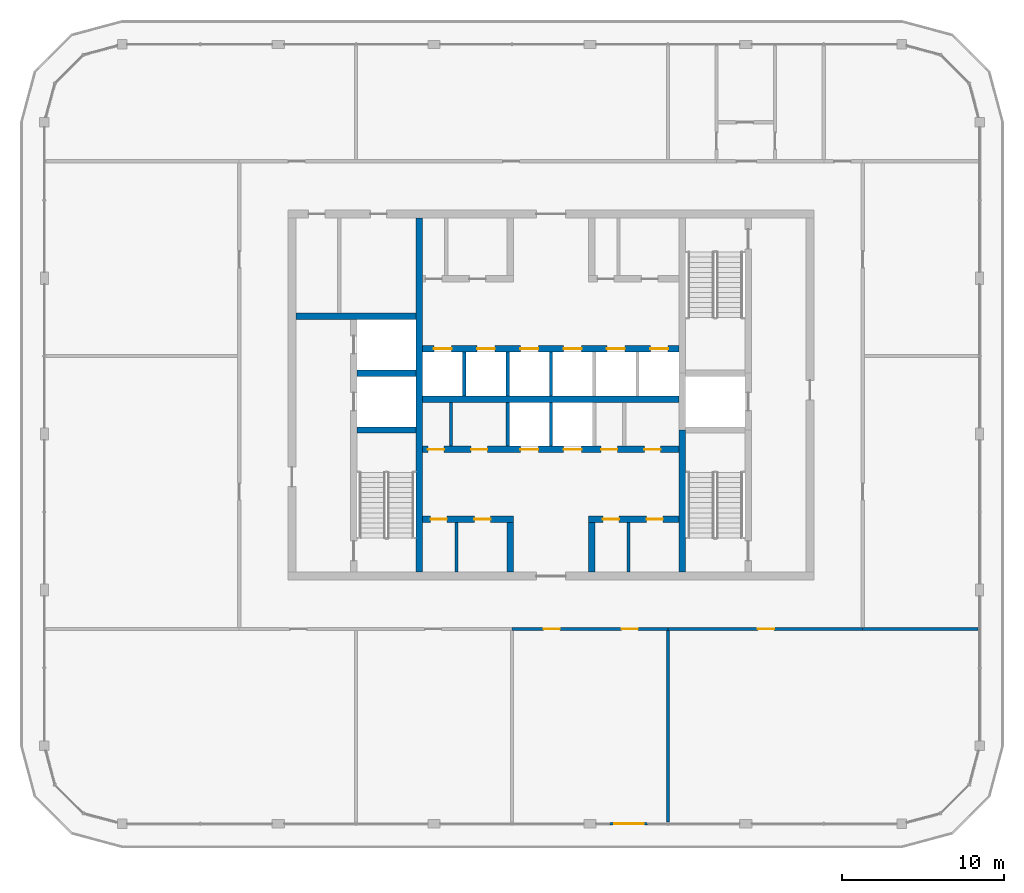
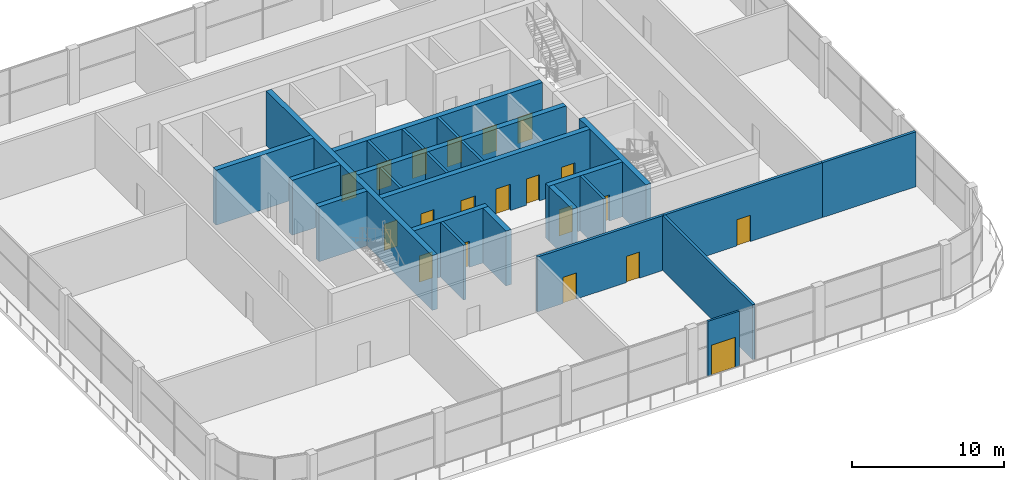
# One storey, part 10 of 15: 25 walls, 20 doors, 20 openings.
"""IFC4 building model written with IfcOpenShell, lengths in metres."""

from ifc_helpers import new_model, si_unit, direction, frame, frame_2d, origin, place, context, subcontext, project, spatial, rectangle, extrude, material, layer, layer_set, type_object, element, fill, save


model = new_model("IFC4")

# Units and contexts
model_context = context("Model", 3, precision=1e-05, world=origin(), true_north=direction((0.0, 1.0)))
body_context = subcontext(model_context, "Body", "Model", "MODEL_VIEW")
ifc_project = project(units=[si_unit("LENGTHUNIT", "METRE"), si_unit("AREAUNIT", "SQUARE_METRE"), si_unit("VOLUMEUNIT", "CUBIC_METRE"), si_unit("PLANEANGLEUNIT", "RADIAN"), si_unit("MASSUNIT", "GRAM", prefix="KILO")], contexts=[model_context])

# Site, building, storey
site_placement = place(None, origin())
site = spatial("IfcSite", under=ifc_project, at=site_placement, CompositionType="ELEMENT")
building_placement = place(site_placement, origin())
building = spatial("IfcBuilding", under=site, at=building_placement, Name="Madar Terraces", CompositionType="ELEMENT")
storey_placement = place(building_placement, frame((0.0, 0.0, 291.5)))
storey = spatial("IfcBuildingStorey", under=building, at=storey_placement, Name="L76", CompositionType="ELEMENT", Elevation=291.5)

# Walls
ifc_material_1 = material(Name="Concrete C50/60", Category="concrete")
ifc_layer_1 = layer(ifc_material_1, 0.39990234375)
ifc_layer_set_1 = layer_set([ifc_layer_1], Name="Concrete C50/60 (CIW6 RC wall 400)")
wall_type_1 = type_object("IfcWallType", Name="CIW6 RC wall 400", PredefinedType="SHEAR", material=ifc_layer_set_1)
wall_1_placement = place(storey_placement, frame((23.10009765625, 15.5, 0.0), z_axis=(0.0, 0.0, 1.0), x_axis=(0.0, 1.0, 0.0)))
element("IfcWall", 1, at=wall_1_placement, inside=storey, type_object=wall_type_1, Name="CORE SHAFT WALL", PredefinedType="SHEAR", context=body_context, shape_type="SweptSolid", body=[
    extrude(rectangle(XDim=21.800048828125, YDim=0.39990234375, at=frame_2d((10.89990234375, 0.0))), origin(), (0.0, 0.0, 1.0), 4.39990234375),
])
wall_2_placement = place(storey_placement, frame((39.300048828125, 15.5, 0.0), z_axis=(0.0, 0.0, 1.0), x_axis=(0.0, 1.0, 0.0)))
element("IfcWall", 2, at=wall_2_placement, inside=storey, type_object=wall_type_1, Name="CORE SHAFT WALL", PredefinedType="SHEAR", context=body_context, shape_type="SweptSolid", body=[
    extrude(rectangle(XDim=8.75, YDim=0.39990234375, at=frame_2d((4.375, 0.0))), origin(), (0.0, 0.0, 1.0), 4.39990234375),
])
for number, where, z_axis, x_axis, name in (
    (3, (19.25, 24.25, 0.0), (0.0, 0.0, 1.0), (1.0, 0.0, 0.0), "CORE SHAFT WALL"),
    (4, (19.25, 27.75, 0.0), (0.0, 0.0, 1.0), (1.0, 0.0, 0.0), "CORE SHAFT WALL"),
):
    element("IfcWall", number, at=place(storey_placement, frame(where, z_axis=z_axis, x_axis=x_axis)), inside=storey, type_object=wall_type_1, Name=name, PredefinedType="SHEAR", context=body_context, shape_type="SweptSolid", body=[
        extrude(rectangle(XDim=3.64990234375, YDim=0.39990234375, at=frame_2d((1.824951171875, 0.0))), origin(), (0.0, 0.0, 1.0), 4.39990234375),
    ])
wall_3_placement = place(storey_placement, frame((15.5, 31.25, 0.0), z_axis=(0.0, 0.0, 1.0), x_axis=(1.0, 0.0, 0.0)))
element("IfcWall", 5, at=wall_3_placement, inside=storey, type_object=wall_type_1, Name="CORE SHAFT WALL", PredefinedType="SHEAR", context=body_context, shape_type="SweptSolid", body=[
    extrude(rectangle(XDim=7.39990234375, YDim=0.39990234375, at=frame_2d((3.699951171875, 0.0))), origin(), (0.0, 0.0, 1.0), 4.39990234375),
])

# Wall, openings, doors
wall_4_placement = place(storey_placement, frame((23.300048828125, 18.75, 0.0), z_axis=(0.0, 0.0, 1.0), x_axis=(1.0, 0.0, 0.0)))
wall_4 = element("IfcWall", 6, at=wall_4_placement, inside=storey, type_object=wall_type_1, Name="CORE SHAFT WALL", PredefinedType="SHEAR", context=body_context, shape_type="SweptSolid", body=[
    extrude(rectangle(XDim=5.599853515625, YDim=0.39990234375, at=frame_2d((2.7998046875, 0.0))), origin(), (0.0, 0.0, 1.0), 4.39990234375),
])
opening_1_placement = place(wall_4_placement, frame((0.489990234375, 0.0, 0.0)))
opening_1 = element("IfcOpeningElement", 7, at=opening_1_placement, cuts=wall_4, Name="Opening KD2", PredefinedType="OPENING", context=body_context, shape_type="SweptSolid", body=[
    extrude(rectangle(XDim=1.0, YDim=2.10009765625, at=frame_2d((0.5, 1.050048828125))), frame((0.0, 0.2099609375, 0.0), z_axis=(0.0, -1.0, 0.0), x_axis=(1.0, 0.0, 0.0)), (0.0, 0.0, 1.0), 0.419921875),
])
opening_2_placement = place(wall_4_placement, frame((3.18994140625, 0.0, 0.0)))
opening_2 = element("IfcOpeningElement", 8, at=opening_2_placement, cuts=wall_4, Name="Opening KD2", PredefinedType="OPENING", context=body_context, shape_type="SweptSolid", body=[
    extrude(rectangle(XDim=1.0, YDim=2.10009765625, at=frame_2d((0.5, 1.050048828125))), frame((0.0, 0.2099609375, 0.0), z_axis=(0.0, -1.0, 0.0), x_axis=(1.0, 0.0, 0.0)), (0.0, 0.0, 1.0), 0.419921875),
])
ifc_material_2 = material(Name="Steel door leaf", Category="steel")
door_type_1 = type_object("IfcDoorType", Name="Service room door 1000 x 2100", OperationType="NOTDEFINED", PredefinedType="DOOR", material=ifc_material_2)
door_1_placement = place(opening_1_placement, origin())
door_1 = element("IfcDoor", 9, at=door_1_placement, inside=storey, type_object=door_type_1, Name="SERVICE ROOM DOOR", OperationType="SINGLE_SWING_LEFT", OverallHeight=2.10009765625, OverallWidth=1.0, PredefinedType="DOOR", context=body_context, shape_type="SweptSolid", body=[
    extrude(rectangle(XDim=1.0, YDim=2.10009765625, at=frame_2d((0.5, 1.050048828125))), frame((0.0, 0.02490234375, 0.0), z_axis=(0.0, -1.0, 0.0), x_axis=(1.0, 0.0, 0.0)), (0.0, 0.0, 1.0), 0.050048828125),
])
fill(opening_1, door_1)
door_2_placement = place(opening_2_placement, origin())
door_2 = element("IfcDoor", 10, at=door_2_placement, inside=storey, type_object=door_type_1, Name="SERVICE ROOM DOOR", OperationType="SINGLE_SWING_RIGHT", OverallHeight=2.10009765625, OverallWidth=1.0, PredefinedType="DOOR", context=body_context, shape_type="SweptSolid", body=[
    extrude(rectangle(XDim=1.0, YDim=2.10009765625, at=frame_2d((0.5, 1.050048828125))), frame((0.0, 0.02490234375, 0.0), z_axis=(0.0, -1.0, 0.0), x_axis=(1.0, 0.0, 0.0)), (0.0, 0.0, 1.0), 0.050048828125),
])
fill(opening_2, door_2)

wall_5_placement = place(storey_placement, frame((33.5, 18.75, 0.0), z_axis=(0.0, 0.0, 1.0), x_axis=(1.0, 0.0, 0.0)))
wall_5 = element("IfcWall", 11, at=wall_5_placement, inside=storey, type_object=wall_type_1, Name="CORE SHAFT WALL", PredefinedType="SHEAR", context=body_context, shape_type="SweptSolid", body=[
    extrude(rectangle(XDim=5.60009765625, YDim=0.39990234375, at=frame_2d((2.800048828125, 0.0))), origin(), (0.0, 0.0, 1.0), 4.39990234375),
])
opening_3_placement = place(wall_5_placement, frame((0.889892578125, 0.0, 0.0)))
opening_3 = element("IfcOpeningElement", 12, at=opening_3_placement, cuts=wall_5, Name="Opening KD2", PredefinedType="OPENING", context=body_context, shape_type="SweptSolid", body=[
    extrude(rectangle(XDim=1.0, YDim=2.10009765625, at=frame_2d((0.5, 1.050048828125))), frame((0.0, 0.2099609375, 0.0), z_axis=(0.0, -1.0, 0.0), x_axis=(1.0, 0.0, 0.0)), (0.0, 0.0, 1.0), 0.419921875),
])
opening_4_placement = place(wall_5_placement, frame((3.590087890625, 0.0, 0.0)))
opening_4 = element("IfcOpeningElement", 13, at=opening_4_placement, cuts=wall_5, Name="Opening KD2", PredefinedType="OPENING", context=body_context, shape_type="SweptSolid", body=[
    extrude(rectangle(XDim=1.0, YDim=2.10009765625, at=frame_2d((0.5, 1.050048828125))), frame((0.0, 0.2099609375, 0.0), z_axis=(0.0, -1.0, 0.0), x_axis=(1.0, 0.0, 0.0)), (0.0, 0.0, 1.0), 0.419921875),
])
door_3_placement = place(opening_3_placement, origin())
door_3 = element("IfcDoor", 14, at=door_3_placement, inside=storey, type_object=door_type_1, Name="SERVICE ROOM DOOR", OperationType="SINGLE_SWING_LEFT", OverallHeight=2.10009765625, OverallWidth=1.0, PredefinedType="DOOR", context=body_context, shape_type="SweptSolid", body=[
    extrude(rectangle(XDim=1.0, YDim=2.10009765625, at=frame_2d((0.5, 1.050048828125))), frame((0.0, 0.02490234375, 0.0), z_axis=(0.0, -1.0, 0.0), x_axis=(1.0, 0.0, 0.0)), (0.0, 0.0, 1.0), 0.050048828125),
])
fill(opening_3, door_3)
door_4_placement = place(opening_4_placement, origin())
door_4 = element("IfcDoor", 15, at=door_4_placement, inside=storey, type_object=door_type_1, Name="SERVICE ROOM DOOR", OperationType="SINGLE_SWING_RIGHT", OverallHeight=2.10009765625, OverallWidth=1.0, PredefinedType="DOOR", context=body_context, shape_type="SweptSolid", body=[
    extrude(rectangle(XDim=1.0, YDim=2.10009765625, at=frame_2d((0.5, 1.050048828125))), frame((0.0, 0.02490234375, 0.0), z_axis=(0.0, -1.0, 0.0), x_axis=(1.0, 0.0, 0.0)), (0.0, 0.0, 1.0), 0.050048828125),
])
fill(opening_4, door_4)

wall_6_placement = place(storey_placement, frame((23.300048828125, 23.050048828125, 0.0), z_axis=(0.0, 0.0, 1.0), x_axis=(1.0, 0.0, 0.0)))
wall_6 = element("IfcWall", 16, at=wall_6_placement, inside=storey, type_object=wall_type_1, Name="CORE SHAFT WALL", PredefinedType="SHEAR", context=body_context, shape_type="SweptSolid", body=[
    extrude(rectangle(XDim=15.800048828125, YDim=0.39990234375, at=frame_2d((7.89990234375, 0.0))), origin(), (0.0, 0.0, 1.0), 4.39990234375),
])
opening_5_placement = place(wall_6_placement, frame((6.0166015625, 0.0, 0.0)))
opening_5 = element("IfcOpeningElement", 17, at=opening_5_placement, cuts=wall_6, Name="Opening LD", PredefinedType="OPENING", context=body_context, shape_type="SweptSolid", body=[
    extrude(rectangle(XDim=1.10009765625, YDim=2.10009765625, at=frame_2d((0.550048828125, 1.050048828125))), frame((0.0, 0.2099609375, 0.0), z_axis=(0.0, -1.0, 0.0), x_axis=(1.0, 0.0, 0.0)), (0.0, 0.0, 1.0), 0.419921875),
])
opening_6_placement = place(wall_6_placement, frame((8.683349609375, 0.0, 0.0)))
opening_6 = element("IfcOpeningElement", 18, at=opening_6_placement, cuts=wall_6, Name="Opening LD", PredefinedType="OPENING", context=body_context, shape_type="SweptSolid", body=[
    extrude(rectangle(XDim=1.10009765625, YDim=2.10009765625, at=frame_2d((0.550048828125, 1.050048828125))), frame((0.0, 0.2099609375, 0.0), z_axis=(0.0, -1.0, 0.0), x_axis=(1.0, 0.0, 0.0)), (0.0, 0.0, 1.0), 0.419921875),
])
opening_7_placement = place(wall_6_placement, frame((0.32275390625, 0.0, 0.0)))
opening_7 = element("IfcOpeningElement", 19, at=opening_7_placement, cuts=wall_6, Name="Opening KD2", PredefinedType="OPENING", context=body_context, shape_type="SweptSolid", body=[
    extrude(rectangle(XDim=1.0, YDim=2.10009765625, at=frame_2d((0.5, 1.050048828125))), frame((0.0, 0.2099609375, 0.0), z_axis=(0.0, -1.0, 0.0), x_axis=(1.0, 0.0, 0.0)), (0.0, 0.0, 1.0), 0.419921875),
])
opening_8_placement = place(wall_6_placement, frame((2.9892578125, 0.0, 0.0)))
opening_8 = element("IfcOpeningElement", 20, at=opening_8_placement, cuts=wall_6, Name="Opening KD2", PredefinedType="OPENING", context=body_context, shape_type="SweptSolid", body=[
    extrude(rectangle(XDim=1.0, YDim=2.10009765625, at=frame_2d((0.5, 1.050048828125))), frame((0.0, 0.2099609375, 0.0), z_axis=(0.0, -1.0, 0.0), x_axis=(1.0, 0.0, 0.0)), (0.0, 0.0, 1.0), 0.419921875),
])
opening_9_placement = place(wall_6_placement, frame((10.9892578125, 0.0, 0.0)))
opening_9 = element("IfcOpeningElement", 21, at=opening_9_placement, cuts=wall_6, Name="Opening KD2", PredefinedType="OPENING", context=body_context, shape_type="SweptSolid", body=[
    extrude(rectangle(XDim=1.0, YDim=2.10009765625, at=frame_2d((0.5, 1.050048828125))), frame((0.0, 0.2099609375, 0.0), z_axis=(0.0, -1.0, 0.0), x_axis=(1.0, 0.0, 0.0)), (0.0, 0.0, 1.0), 0.419921875),
])
opening_10_placement = place(wall_6_placement, frame((13.656005859375, 0.0, 0.0)))
opening_10 = element("IfcOpeningElement", 22, at=opening_10_placement, cuts=wall_6, Name="Opening KD2", PredefinedType="OPENING", context=body_context, shape_type="SweptSolid", body=[
    extrude(rectangle(XDim=1.0, YDim=2.10009765625, at=frame_2d((0.5, 1.050048828125))), frame((0.0, 0.2099609375, 0.0), z_axis=(0.0, -1.0, 0.0), x_axis=(1.0, 0.0, 0.0)), (0.0, 0.0, 1.0), 0.419921875),
])
ifc_material_3 = material(Name="Stainless steel panel", Category="steel")
door_type_2 = type_object("IfcDoorType", Name="Lift landing door 1100 x 2100", OperationType="DOUBLE_DOOR_SLIDING", PredefinedType="DOOR", material=ifc_material_3)
door_5_placement = place(opening_5_placement, origin())
door_5 = element("IfcDoor", 23, at=door_5_placement, inside=storey, type_object=door_type_2, Name="LIFT LANDING DOOR", OperationType="DOUBLE_DOOR_SLIDING", OverallHeight=2.10009765625, OverallWidth=1.10009765625, PredefinedType="DOOR", context=body_context, shape_type="SweptSolid", body=[
    extrude(rectangle(XDim=1.10009765625, YDim=2.10009765625, at=frame_2d((0.550048828125, 1.050048828125))), frame((0.0, 0.02490234375, 0.0), z_axis=(0.0, -1.0, 0.0), x_axis=(1.0, 0.0, 0.0)), (0.0, 0.0, 1.0), 0.050048828125),
])
fill(opening_5, door_5)
door_6_placement = place(opening_6_placement, origin())
door_6 = element("IfcDoor", 24, at=door_6_placement, inside=storey, type_object=door_type_2, Name="LIFT LANDING DOOR", OperationType="DOUBLE_DOOR_SLIDING", OverallHeight=2.10009765625, OverallWidth=1.10009765625, PredefinedType="DOOR", context=body_context, shape_type="SweptSolid", body=[
    extrude(rectangle(XDim=1.10009765625, YDim=2.10009765625, at=frame_2d((0.550048828125, 1.050048828125))), frame((0.0, 0.02490234375, 0.0), z_axis=(0.0, -1.0, 0.0), x_axis=(1.0, 0.0, 0.0)), (0.0, 0.0, 1.0), 0.050048828125),
])
fill(opening_6, door_6)
door_7_placement = place(opening_7_placement, frame((1.0, 0.0, 0.0), z_axis=(0.0, 0.0, 1.0), x_axis=(-1.0, 0.0, 0.0)))
door_7 = element("IfcDoor", 25, at=door_7_placement, inside=storey, type_object=door_type_1, Name="SERVICE ROOM DOOR", OperationType="SINGLE_SWING_LEFT", OverallHeight=2.10009765625, OverallWidth=1.0, PredefinedType="DOOR", context=body_context, shape_type="SweptSolid", body=[
    extrude(rectangle(XDim=1.0, YDim=2.10009765625, at=frame_2d((0.5, 1.050048828125))), frame((0.0, 0.02490234375, 0.0), z_axis=(0.0, -1.0, 0.0), x_axis=(1.0, 0.0, 0.0)), (0.0, 0.0, 1.0), 0.050048828125),
])
fill(opening_7, door_7)
door_8_placement = place(opening_8_placement, frame((1.0, 0.0, 0.0), z_axis=(0.0, 0.0, 1.0), x_axis=(-1.0, 0.0, 0.0)))
door_8 = element("IfcDoor", 26, at=door_8_placement, inside=storey, type_object=door_type_1, Name="SERVICE ROOM DOOR", OperationType="SINGLE_SWING_RIGHT", OverallHeight=2.10009765625, OverallWidth=1.0, PredefinedType="DOOR", context=body_context, shape_type="SweptSolid", body=[
    extrude(rectangle(XDim=1.0, YDim=2.10009765625, at=frame_2d((0.5, 1.050048828125))), frame((0.0, 0.02490234375, 0.0), z_axis=(0.0, -1.0, 0.0), x_axis=(1.0, 0.0, 0.0)), (0.0, 0.0, 1.0), 0.050048828125),
])
fill(opening_8, door_8)
door_9_placement = place(opening_9_placement, frame((1.0, 0.0, 0.0), z_axis=(0.0, 0.0, 1.0), x_axis=(-1.0, 0.0, 0.0)))
door_9 = element("IfcDoor", 27, at=door_9_placement, inside=storey, type_object=door_type_1, Name="SERVICE ROOM DOOR", OperationType="SINGLE_SWING_LEFT", OverallHeight=2.10009765625, OverallWidth=1.0, PredefinedType="DOOR", context=body_context, shape_type="SweptSolid", body=[
    extrude(rectangle(XDim=1.0, YDim=2.10009765625, at=frame_2d((0.5, 1.050048828125))), frame((0.0, 0.02490234375, 0.0), z_axis=(0.0, -1.0, 0.0), x_axis=(1.0, 0.0, 0.0)), (0.0, 0.0, 1.0), 0.050048828125),
])
fill(opening_9, door_9)
door_10_placement = place(opening_10_placement, frame((1.0, 0.0, 0.0), z_axis=(0.0, 0.0, 1.0), x_axis=(-1.0, 0.0, 0.0)))
door_10 = element("IfcDoor", 28, at=door_10_placement, inside=storey, type_object=door_type_1, Name="SERVICE ROOM DOOR", OperationType="SINGLE_SWING_RIGHT", OverallHeight=2.10009765625, OverallWidth=1.0, PredefinedType="DOOR", context=body_context, shape_type="SweptSolid", body=[
    extrude(rectangle(XDim=1.0, YDim=2.10009765625, at=frame_2d((0.5, 1.050048828125))), frame((0.0, 0.02490234375, 0.0), z_axis=(0.0, -1.0, 0.0), x_axis=(1.0, 0.0, 0.0)), (0.0, 0.0, 1.0), 0.050048828125),
])
fill(opening_10, door_10)

# Wall
wall_7_placement = place(storey_placement, frame((23.300048828125, 26.14990234375, 0.0), z_axis=(0.0, 0.0, 1.0), x_axis=(1.0, 0.0, 0.0)))
element("IfcWall", 29, at=wall_7_placement, inside=storey, type_object=wall_type_1, Name="CORE SHAFT WALL", PredefinedType="SHEAR", context=body_context, shape_type="SweptSolid", body=[
    extrude(rectangle(XDim=15.800048828125, YDim=0.39990234375, at=frame_2d((7.89990234375, 0.0))), origin(), (0.0, 0.0, 1.0), 4.39990234375),
])

# Wall, openings, doors
wall_8_placement = place(storey_placement, frame((23.300048828125, 29.25, 0.0), z_axis=(0.0, 0.0, 1.0), x_axis=(1.0, 0.0, 0.0)))
wall_8 = element("IfcWall", 30, at=wall_8_placement, inside=storey, type_object=wall_type_1, Name="CORE SHAFT WALL", PredefinedType="SHEAR", context=body_context, shape_type="SweptSolid", body=[
    extrude(rectangle(XDim=15.800048828125, YDim=0.39990234375, at=frame_2d((7.89990234375, 0.0))), origin(), (0.0, 0.0, 1.0), 4.39990234375),
])
opening_11_placement = place(wall_8_placement, frame((0.683349609375, 0.0, 0.0)))
opening_11 = element("IfcOpeningElement", 31, at=opening_11_placement, cuts=wall_8, Name="Opening LD", PredefinedType="OPENING", context=body_context, shape_type="SweptSolid", body=[
    extrude(rectangle(XDim=1.10009765625, YDim=2.10009765625, at=frame_2d((0.550048828125, 1.050048828125))), frame((0.0, 0.2099609375, 0.0), z_axis=(0.0, -1.0, 0.0), x_axis=(1.0, 0.0, 0.0)), (0.0, 0.0, 1.0), 0.419921875),
])
opening_12_placement = place(wall_8_placement, frame((3.35009765625, 0.0, 0.0)))
opening_12 = element("IfcOpeningElement", 32, at=opening_12_placement, cuts=wall_8, Name="Opening LD", PredefinedType="OPENING", context=body_context, shape_type="SweptSolid", body=[
    extrude(rectangle(XDim=1.10009765625, YDim=2.10009765625, at=frame_2d((0.550048828125, 1.050048828125))), frame((0.0, 0.2099609375, 0.0), z_axis=(0.0, -1.0, 0.0), x_axis=(1.0, 0.0, 0.0)), (0.0, 0.0, 1.0), 0.419921875),
])
opening_13_placement = place(wall_8_placement, frame((6.0166015625, 0.0, 0.0)))
opening_13 = element("IfcOpeningElement", 33, at=opening_13_placement, cuts=wall_8, Name="Opening LD", PredefinedType="OPENING", context=body_context, shape_type="SweptSolid", body=[
    extrude(rectangle(XDim=1.10009765625, YDim=2.10009765625, at=frame_2d((0.550048828125, 1.050048828125))), frame((0.0, 0.2099609375, 0.0), z_axis=(0.0, -1.0, 0.0), x_axis=(1.0, 0.0, 0.0)), (0.0, 0.0, 1.0), 0.419921875),
])
opening_14_placement = place(wall_8_placement, frame((8.683349609375, 0.0, 0.0)))
opening_14 = element("IfcOpeningElement", 34, at=opening_14_placement, cuts=wall_8, Name="Opening LD", PredefinedType="OPENING", context=body_context, shape_type="SweptSolid", body=[
    extrude(rectangle(XDim=1.10009765625, YDim=2.10009765625, at=frame_2d((0.550048828125, 1.050048828125))), frame((0.0, 0.2099609375, 0.0), z_axis=(0.0, -1.0, 0.0), x_axis=(1.0, 0.0, 0.0)), (0.0, 0.0, 1.0), 0.419921875),
])
opening_15_placement = place(wall_8_placement, frame((11.35009765625, 0.0, 0.0)))
opening_15 = element("IfcOpeningElement", 35, at=opening_15_placement, cuts=wall_8, Name="Opening LD", PredefinedType="OPENING", context=body_context, shape_type="SweptSolid", body=[
    extrude(rectangle(XDim=1.10009765625, YDim=2.10009765625, at=frame_2d((0.550048828125, 1.050048828125))), frame((0.0, 0.2099609375, 0.0), z_axis=(0.0, -1.0, 0.0), x_axis=(1.0, 0.0, 0.0)), (0.0, 0.0, 1.0), 0.419921875),
])
opening_16_placement = place(wall_8_placement, frame((14.0166015625, 0.0, 0.0)))
opening_16 = element("IfcOpeningElement", 36, at=opening_16_placement, cuts=wall_8, Name="Opening LD", PredefinedType="OPENING", context=body_context, shape_type="SweptSolid", body=[
    extrude(rectangle(XDim=1.10009765625, YDim=2.10009765625, at=frame_2d((0.550048828125, 1.050048828125))), frame((0.0, 0.2099609375, 0.0), z_axis=(0.0, -1.0, 0.0), x_axis=(1.0, 0.0, 0.0)), (0.0, 0.0, 1.0), 0.419921875),
])
door_11_placement = place(opening_11_placement, origin())
door_11 = element("IfcDoor", 37, at=door_11_placement, inside=storey, type_object=door_type_2, Name="LIFT LANDING DOOR", OperationType="DOUBLE_DOOR_SLIDING", OverallHeight=2.10009765625, OverallWidth=1.10009765625, PredefinedType="DOOR", context=body_context, shape_type="SweptSolid", body=[
    extrude(rectangle(XDim=1.10009765625, YDim=2.10009765625, at=frame_2d((0.550048828125, 1.050048828125))), frame((0.0, 0.02490234375, 0.0), z_axis=(0.0, -1.0, 0.0), x_axis=(1.0, 0.0, 0.0)), (0.0, 0.0, 1.0), 0.050048828125),
])
fill(opening_11, door_11)
door_12_placement = place(opening_12_placement, origin())
door_12 = element("IfcDoor", 38, at=door_12_placement, inside=storey, type_object=door_type_2, Name="LIFT LANDING DOOR", OperationType="DOUBLE_DOOR_SLIDING", OverallHeight=2.10009765625, OverallWidth=1.10009765625, PredefinedType="DOOR", context=body_context, shape_type="SweptSolid", body=[
    extrude(rectangle(XDim=1.10009765625, YDim=2.10009765625, at=frame_2d((0.550048828125, 1.050048828125))), frame((0.0, 0.02490234375, 0.0), z_axis=(0.0, -1.0, 0.0), x_axis=(1.0, 0.0, 0.0)), (0.0, 0.0, 1.0), 0.050048828125),
])
fill(opening_12, door_12)
door_13_placement = place(opening_13_placement, origin())
door_13 = element("IfcDoor", 39, at=door_13_placement, inside=storey, type_object=door_type_2, Name="LIFT LANDING DOOR", OperationType="DOUBLE_DOOR_SLIDING", OverallHeight=2.10009765625, OverallWidth=1.10009765625, PredefinedType="DOOR", context=body_context, shape_type="SweptSolid", body=[
    extrude(rectangle(XDim=1.10009765625, YDim=2.10009765625, at=frame_2d((0.550048828125, 1.050048828125))), frame((0.0, 0.02490234375, 0.0), z_axis=(0.0, -1.0, 0.0), x_axis=(1.0, 0.0, 0.0)), (0.0, 0.0, 1.0), 0.050048828125),
])
fill(opening_13, door_13)
door_14_placement = place(opening_14_placement, origin())
door_14 = element("IfcDoor", 40, at=door_14_placement, inside=storey, type_object=door_type_2, Name="LIFT LANDING DOOR", OperationType="DOUBLE_DOOR_SLIDING", OverallHeight=2.10009765625, OverallWidth=1.10009765625, PredefinedType="DOOR", context=body_context, shape_type="SweptSolid", body=[
    extrude(rectangle(XDim=1.10009765625, YDim=2.10009765625, at=frame_2d((0.550048828125, 1.050048828125))), frame((0.0, 0.02490234375, 0.0), z_axis=(0.0, -1.0, 0.0), x_axis=(1.0, 0.0, 0.0)), (0.0, 0.0, 1.0), 0.050048828125),
])
fill(opening_14, door_14)
door_15_placement = place(opening_15_placement, origin())
door_15 = element("IfcDoor", 41, at=door_15_placement, inside=storey, type_object=door_type_2, Name="LIFT LANDING DOOR", OperationType="DOUBLE_DOOR_SLIDING", OverallHeight=2.10009765625, OverallWidth=1.10009765625, PredefinedType="DOOR", context=body_context, shape_type="SweptSolid", body=[
    extrude(rectangle(XDim=1.10009765625, YDim=2.10009765625, at=frame_2d((0.550048828125, 1.050048828125))), frame((0.0, 0.02490234375, 0.0), z_axis=(0.0, -1.0, 0.0), x_axis=(1.0, 0.0, 0.0)), (0.0, 0.0, 1.0), 0.050048828125),
])
fill(opening_15, door_15)
door_16_placement = place(opening_16_placement, origin())
door_16 = element("IfcDoor", 42, at=door_16_placement, inside=storey, type_object=door_type_2, Name="LIFT LANDING DOOR", OperationType="DOUBLE_DOOR_SLIDING", OverallHeight=2.10009765625, OverallWidth=1.10009765625, PredefinedType="DOOR", context=body_context, shape_type="SweptSolid", body=[
    extrude(rectangle(XDim=1.10009765625, YDim=2.10009765625, at=frame_2d((0.550048828125, 1.050048828125))), frame((0.0, 0.02490234375, 0.0), z_axis=(0.0, -1.0, 0.0), x_axis=(1.0, 0.0, 0.0)), (0.0, 0.0, 1.0), 0.050048828125),
])
fill(opening_16, door_16)

# Walls
for number, where, z_axis, x_axis, name in (
    (43, (28.699951171875, 15.5, 0.0), (0.0, 0.0, 1.0), (0.0, 1.0, 0.0), "CORE SHAFT WALL"),
    (44, (33.699951171875, 15.5, 0.0), (0.0, 0.0, 1.0), (0.0, 1.0, 0.0), "CORE SHAFT WALL"),
):
    element("IfcWall", number, at=place(storey_placement, frame(where, z_axis=z_axis, x_axis=x_axis)), inside=storey, type_object=wall_type_1, Name=name, PredefinedType="SHEAR", context=body_context, shape_type="SweptSolid", body=[
        extrude(rectangle(XDim=3.050048828125, YDim=0.39990234375, at=frame_2d((1.52490234375, 0.0))), origin(), (0.0, 0.0, 1.0), 4.39990234375),
    ])
ifc_material_4 = material(Name="Masonry blockwork", Category="masonry")
ifc_layer_2 = layer(ifc_material_4, 0.199951171875)
ifc_layer_set_2 = layer_set([ifc_layer_2], Name="Core partition 200 blockwork")
wall_type_2 = type_object("IfcWallType", Name="Core partition 200 blockwork", PredefinedType="PARTITIONING", material=ifc_layer_set_2)
wall_9_placement = place(storey_placement, frame((25.04541015625, 23.25, 0.0), z_axis=(0.0, 0.0, 1.0), x_axis=(0.0, 1.0, 0.0)))
element("IfcWall", 45, at=wall_9_placement, inside=storey, type_object=wall_type_2, Name="SERVICE ROOM PARTITION", PredefinedType="PARTITIONING", context=body_context, shape_type="SweptSolid", body=[
    extrude(rectangle(XDim=2.699951171875, YDim=0.199951171875, at=frame_2d((1.35009765625, 0.0))), origin(), (0.0, 0.0, 1.0), 4.39990234375),
])
for number, where, z_axis, x_axis, name in (
    (46, (25.3798828125, 15.5, 0.0), (0.0, 0.0, 1.0), (0.0, 1.0, 0.0), "SERVICE ROOM PARTITION"),
    (47, (35.97998046875, 15.5, 0.0), (0.0, 0.0, 1.0), (0.0, 1.0, 0.0), "SERVICE ROOM PARTITION"),
):
    element("IfcWall", number, at=place(storey_placement, frame(where, z_axis=z_axis, x_axis=x_axis)), inside=storey, type_object=wall_type_2, Name=name, PredefinedType="PARTITIONING", context=body_context, shape_type="SweptSolid", body=[
        extrude(rectangle(XDim=3.050048828125, YDim=0.199951171875, at=frame_2d((1.52490234375, 0.0))), origin(), (0.0, 0.0, 1.0), 4.39990234375),
    ])
ifc_material_5 = material(Name="Concrete C40/50", Category="concrete")
ifc_layer_3 = layer(ifc_material_5, 0.199951171875)
ifc_layer_set_3 = layer_set([ifc_layer_3], Name="Core shaft dividing wall 200 C40/50")
wall_type_3 = type_object("IfcWallType", Name="Core shaft dividing wall 200 C40/50", PredefinedType="SOLIDWALL", material=ifc_layer_set_3)
for number, where, z_axis, x_axis, name in (
    (48, (25.86669921875, 26.35009765625, 0.0), (0.0, 0.0, 1.0), (0.0, 1.0, 0.0), "SHAFT DIVIDING WALL"),
    (49, (28.533447265625, 23.25, 0.0), (0.0, 0.0, 1.0), (0.0, 1.0, 0.0), "SHAFT DIVIDING WALL"),
    (50, (28.533447265625, 26.35009765625, 0.0), (0.0, 0.0, 1.0), (0.0, 1.0, 0.0), "SHAFT DIVIDING WALL"),
    (51, (31.199951171875, 23.25, 0.0), (0.0, 0.0, 1.0), (0.0, 1.0, 0.0), "SHAFT DIVIDING WALL"),
    (52, (31.199951171875, 26.35009765625, 0.0), (0.0, 0.0, 1.0), (0.0, 1.0, 0.0), "SHAFT DIVIDING WALL"),
):
    element("IfcWall", number, at=place(storey_placement, frame(where, z_axis=z_axis, x_axis=x_axis)), inside=storey, type_object=wall_type_3, Name=name, PredefinedType="SOLIDWALL", context=body_context, shape_type="SweptSolid", body=[
        extrude(rectangle(XDim=2.699951171875, YDim=0.199951171875, at=frame_2d((1.35009765625, 0.0))), origin(), (0.0, 0.0, 1.0), 4.39990234375),
    ])

# Wall, opening, door
ifc_material_6 = material(Name="Aluminium composite panel, black, over insulated backing", Category="aluminium")
ifc_layer_4 = layer(ifc_material_6, 0.14990234375)
ifc_layer_set_4 = layer_set([ifc_layer_4], Name="Facade bay panel 150")
wall_type_4 = type_object("IfcWallType", Name="Facade bay panel 150", PredefinedType="SOLIDWALL", material=ifc_layer_set_4)
wall_10_placement = place(storey_placement, frame((34.800048828125, 0.0, 0.0), z_axis=(0.0, 0.0, 1.0), x_axis=(1.0, 0.0, 0.0)))
wall_10 = element("IfcWall", 53, at=wall_10_placement, inside=storey, type_object=wall_type_4, Name="Facade bay panel", PredefinedType="SOLIDWALL", context=body_context, shape_type="SweptSolid", body=[
    extrude(rectangle(XDim=2.39990234375, YDim=0.14990234375, at=frame_2d((1.199951171875, 0.0))), origin(), (0.0, 0.0, 1.0), 4.39990234375),
])
opening_17_placement = place(wall_10_placement, frame((0.300048828125, 0.0, 0.0)))
opening_17 = element("IfcOpeningElement", 54, at=opening_17_placement, cuts=wall_10, Name="Opening ED1", PredefinedType="OPENING", context=body_context, shape_type="SweptSolid", body=[
    extrude(rectangle(XDim=1.800048828125, YDim=2.39990234375, at=frame_2d((0.89990234375, 1.199951171875))), frame((0.0, 0.0849609375, 0.0), z_axis=(0.0, -1.0, 0.0), x_axis=(1.0, 0.0, 0.0)), (0.0, 0.0, 1.0), 0.169921875),
])
ifc_material_7 = material(Name="Glass, clear, with black aluminium frame", Category="aluminium")
door_type_3 = type_object("IfcDoorType", Name="Balcony and terrace sliding door 1800 x 2400", OperationType="SLIDING_TO_LEFT", PredefinedType="DOOR", material=ifc_material_7)
door_17_placement = place(opening_17_placement, origin())
door_17 = element("IfcDoor", 55, at=door_17_placement, inside=storey, type_object=door_type_3, Name="Balcony door", OperationType="SLIDING_TO_LEFT", OverallHeight=2.39990234375, OverallWidth=1.800048828125, PredefinedType="DOOR", context=body_context, shape_type="SweptSolid", body=[
    extrude(rectangle(XDim=1.800048828125, YDim=2.39990234375, at=frame_2d((0.89990234375, 1.199951171875))), frame((0.0, 0.02490234375, 0.0), z_axis=(0.0, -1.0, 0.0), x_axis=(1.0, 0.0, 0.0)), (0.0, 0.0, 1.0), 0.050048828125),
])
fill(opening_17, door_17)

# Wall
ifc_material_8 = material(Name="Gypsum board partition, fire-rated")
ifc_layer_5 = layer(ifc_material_8, 0.199951171875)
ifc_layer_set_5 = layer_set([ifc_layer_5], Name="Partition 200 EI 60")
wall_type_5 = type_object("IfcWallType", Name="Partition 200 EI 60", PredefinedType="PARTITIONING", material=ifc_layer_set_5)
wall_11_placement = place(storey_placement, frame((50.39990234375, 12.0, 0.0), z_axis=(0.0, 0.0, 1.0), x_axis=(1.0, 0.0, 0.0)))
element("IfcWall", 56, at=wall_11_placement, inside=storey, type_object=wall_type_5, Name="Wall OUTLOOK ROOM / OUTLOOK ROOM", PredefinedType="PARTITIONING", context=body_context, shape_type="SweptSolid", body=[
    extrude(rectangle(XDim=7.10009765625, YDim=0.199951171875, at=frame_2d((3.550048828125, 0.0))), origin(), (0.0, 0.0, 1.0), 4.39990234375),
])

# Wall, openings, doors
wall_12_placement = place(storey_placement, frame((28.800048828125, 12.0, 0.0), z_axis=(0.0, 0.0, 1.0), x_axis=(1.0, 0.0, 0.0)))
wall_12 = element("IfcWall", 57, at=wall_12_placement, inside=storey, type_object=wall_type_5, Name="Wall SKY DECK / RING CORRIDOR", PredefinedType="PARTITIONING", context=body_context, shape_type="SweptSolid", body=[
    extrude(rectangle(XDim=9.599853515625, YDim=0.199951171875, at=frame_2d((4.7998046875, 0.0))), origin(), (0.0, 0.0, 1.0), 4.39990234375),
])
opening_18_placement = place(wall_12_placement, frame((6.75, 0.0, 0.0)))
opening_18 = element("IfcOpeningElement", 58, at=opening_18_placement, cuts=wall_12, Name="Opening D31", PredefinedType="OPENING", context=body_context, shape_type="SweptSolid", body=[
    extrude(rectangle(XDim=1.0, YDim=2.10009765625, at=frame_2d((0.5, 1.050048828125))), frame((0.0, 0.10986328125, 0.0), z_axis=(0.0, -1.0, 0.0), x_axis=(1.0, 0.0, 0.0)), (0.0, 0.0, 1.0), 0.219970703125),
])
opening_19_placement = place(wall_12_placement, frame((1.949951171875, 0.0, 0.0)))
opening_19 = element("IfcOpeningElement", 59, at=opening_19_placement, cuts=wall_12, Name="Opening D31", PredefinedType="OPENING", context=body_context, shape_type="SweptSolid", body=[
    extrude(rectangle(XDim=1.0, YDim=2.10009765625, at=frame_2d((0.5, 1.050048828125))), frame((0.0, 0.10986328125, 0.0), z_axis=(0.0, -1.0, 0.0), x_axis=(1.0, 0.0, 0.0)), (0.0, 0.0, 1.0), 0.219970703125),
])
ifc_material_9 = material(Name="Timber door leaf, fire-rated", Category="wood")
door_type_4 = type_object("IfcDoorType", Name="Podium door 1000 x 2100 FD30S", OperationType="NOTDEFINED", PredefinedType="DOOR", material=ifc_material_9)
door_18_placement = place(opening_18_placement, origin())
door_18 = element("IfcDoor", 60, at=door_18_placement, inside=storey, type_object=door_type_4, Name="Door SKY DECK / RING CORRIDOR", OperationType="SINGLE_SWING_RIGHT", OverallHeight=2.10009765625, OverallWidth=1.0, PredefinedType="DOOR", context=body_context, shape_type="SweptSolid", body=[
    extrude(rectangle(XDim=1.0, YDim=2.10009765625, at=frame_2d((0.5, 1.050048828125))), frame((0.0, 0.02490234375, 0.0), z_axis=(0.0, -1.0, 0.0), x_axis=(1.0, 0.0, 0.0)), (0.0, 0.0, 1.0), 0.050048828125),
])
fill(opening_18, door_18)
door_19_placement = place(opening_19_placement, origin())
door_19 = element("IfcDoor", 61, at=door_19_placement, inside=storey, type_object=door_type_4, Name="Door SKY DECK / RING CORRIDOR", OperationType="SINGLE_SWING_LEFT", OverallHeight=2.10009765625, OverallWidth=1.0, PredefinedType="DOOR", context=body_context, shape_type="SweptSolid", body=[
    extrude(rectangle(XDim=1.0, YDim=2.10009765625, at=frame_2d((0.5, 1.050048828125))), frame((0.0, 0.02490234375, 0.0), z_axis=(0.0, -1.0, 0.0), x_axis=(1.0, 0.0, 0.0)), (0.0, 0.0, 1.0), 0.050048828125),
])
fill(opening_19, door_19)

# Wall, opening, door
wall_13_placement = place(storey_placement, frame((50.39990234375, 12.0, 0.0), z_axis=(0.0, 0.0, 1.0), x_axis=(-1.0, 0.0, 0.0)))
wall_13 = element("IfcWall", 62, at=wall_13_placement, inside=storey, type_object=wall_type_5, Name="Wall OUTLOOK ROOM / RING CORRIDOR", PredefinedType="PARTITIONING", context=body_context, shape_type="SweptSolid", body=[
    extrude(rectangle(XDim=12.0, YDim=0.199951171875, at=frame_2d((6.0, 0.0))), origin(), (0.0, 0.0, 1.0), 4.39990234375),
])
opening_20_placement = place(wall_13_placement, frame((5.449951171875, 0.0, 0.0)))
opening_20 = element("IfcOpeningElement", 63, at=opening_20_placement, cuts=wall_13, Name="Opening D31", PredefinedType="OPENING", context=body_context, shape_type="SweptSolid", body=[
    extrude(rectangle(XDim=1.0, YDim=2.10009765625, at=frame_2d((0.5, 1.050048828125))), frame((0.0, 0.10986328125, 0.0), z_axis=(0.0, -1.0, 0.0), x_axis=(1.0, 0.0, 0.0)), (0.0, 0.0, 1.0), 0.219970703125),
])
door_20_placement = place(opening_20_placement, origin())
door_20 = element("IfcDoor", 64, at=door_20_placement, inside=storey, type_object=door_type_4, Name="Door OUTLOOK ROOM / RING CORRIDOR", OperationType="SINGLE_SWING_LEFT", OverallHeight=2.10009765625, OverallWidth=1.0, PredefinedType="DOOR", context=body_context, shape_type="SweptSolid", body=[
    extrude(rectangle(XDim=1.0, YDim=2.10009765625, at=frame_2d((0.5, 1.050048828125))), frame((0.0, 0.02490234375, 0.0), z_axis=(0.0, -1.0, 0.0), x_axis=(1.0, 0.0, 0.0)), (0.0, 0.0, 1.0), 0.050048828125),
])
fill(opening_20, door_20)

# Wall
wall_14_placement = place(storey_placement, frame((38.39990234375, 0.10009765625, 0.0), z_axis=(0.0, 0.0, 1.0), x_axis=(0.0, 1.0, 0.0)))
element("IfcWall", 65, at=wall_14_placement, inside=storey, type_object=wall_type_5, Name="Wall SKY DECK / OUTLOOK ROOM", PredefinedType="PARTITIONING", context=body_context, shape_type="SweptSolid", body=[
    extrude(rectangle(XDim=11.7998046875, YDim=0.199951171875, at=frame_2d((5.89990234375, 0.0))), origin(), (0.0, 0.0, 1.0), 4.39990234375),
])

save(model, "model.ifc")
